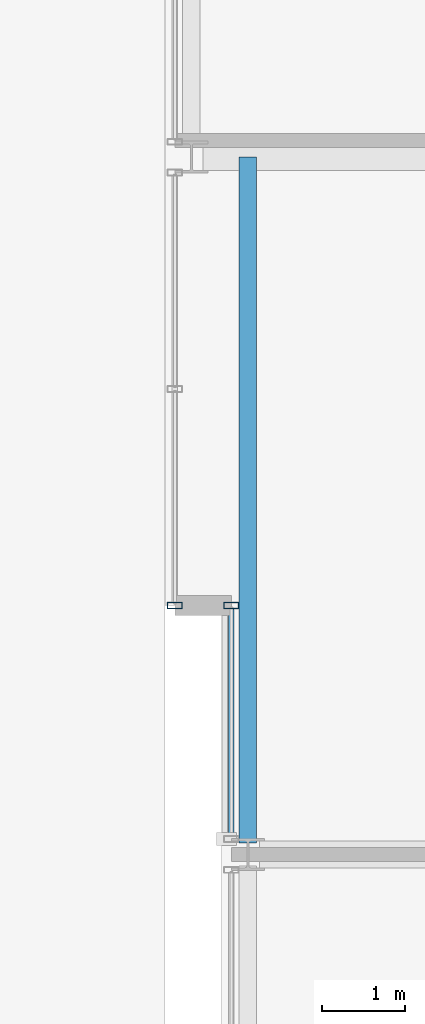
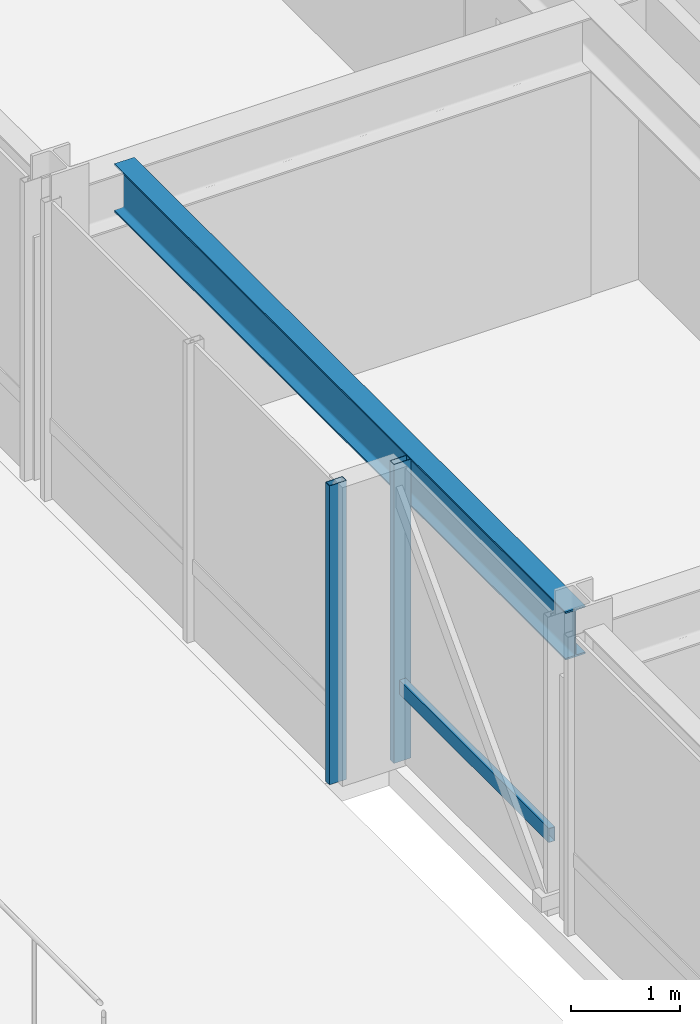
# One storey, part 8 of 32: 3 members, 1 beam, 2 elements without a shape of their own.
"""IFC4 building model written with IfcOpenShell, lengths in metres."""

import ifcopenshell
import ifcopenshell.guid

model = None  # the IFC model being written
_history = None  # IfcOwnerHistory: only IFC2X3 demands one
_inside = {}  # id of a spatial element -> (the spatial element, [elements in it])
_under = {}  # id of a project, library or spatial element -> (it, [spatial elements below it])
_declared = {}  # id of a project -> (the project, [libraries it declares])
_typed = {}  # id of a type object -> (the type object, [elements of that type])
_made_of = {}  # id of a material, layer set ... -> (it, [elements and type objects made of it])


def new_model(schema):
    """Start an empty IFC model of exactly this schema.

    Asked for "IFC4X3", IfcOpenShell would pick the latest addendum, in which some entities
    have other attributes; the version numbers below select the first issue.
    IFC2X3 requires an IfcOwnerHistory on every rooted entity: one is made here for all.
    """
    global model, _history
    if schema == "IFC4X3":
        model = ifcopenshell.file(schema_version=(4, 3, 0, 0))
    else:
        model = ifcopenshell.file(schema=schema)
    _inside.clear()
    _under.clear()
    _declared.clear()
    _typed.clear()
    _made_of.clear()
    _history = None
    if model.schema == "IFC2X3":
        org = make("IfcOrganization", Name="unknown")
        user = make(
            "IfcPersonAndOrganization",
            ThePerson=make("IfcPerson", FamilyName="unknown"),
            TheOrganization=org,
        )
        app = make(
            "IfcApplication",
            ApplicationDeveloper=org,
            Version="unknown",
            ApplicationFullName="unknown",
            ApplicationIdentifier="unknown",
        )
        _history = make(
            "IfcOwnerHistory",
            OwningUser=user,
            OwningApplication=app,
            ChangeAction="ADDED",
            CreationDate=0,
        )
    return model


def make(cls, **values):
    """One entity of the class cls with the attributes given. An attribute that is None is left unset."""
    return model.create_entity(
        cls, **{name: value for name, value in values.items() if value is not None}
    )


def rooted(cls, **values):
    """An entity with a GlobalId (a new one), such as an element, a storey or a relation."""
    return make(cls, GlobalId=ifcopenshell.guid.new(), OwnerHistory=_history, **values)


def si_unit(unit_type, name, prefix=None):
    """IfcSIUnit, for example si_unit("LENGTHUNIT", "METRE", prefix="MILLI")."""
    return make("IfcSIUnit", UnitType=unit_type, Prefix=prefix, Name=name)


def assignment(units):
    """IfcUnitAssignment: the units of a project."""
    return None if units is None else make("IfcUnitAssignment", Units=units)


def point(xyz):
    """IfcCartesianPoint."""
    return None if xyz is None else make("IfcCartesianPoint", Coordinates=xyz)


def direction(xyz):
    """IfcDirection."""
    return None if xyz is None else make("IfcDirection", DirectionRatios=xyz)


def frame(location, z_axis=None, x_axis=None):
    """IfcAxis2Placement3D, a coordinate frame: its origin and axes. An axis left out is left unset."""
    return make(
        "IfcAxis2Placement3D",
        Location=point(location),
        Axis=direction(z_axis),
        RefDirection=direction(x_axis),
    )


def frame_2d(location, x_axis=None):
    """IfcAxis2Placement2D, a coordinate frame in the plane: its origin and x axis."""
    return make(
        "IfcAxis2Placement2D", Location=point(location), RefDirection=direction(x_axis)
    )


def origin():
    """The frame at (0, 0, 0) with its axes left unset."""
    return frame((0.0, 0.0, 0.0))


def origin_2d():
    """The frame at (0, 0) in the plane with its x axis left unset."""
    return frame_2d((0.0, 0.0))


def place(relative_to, where):
    """IfcLocalPlacement: puts the frame where relative to a parent placement (None: the world)."""
    return make(
        "IfcLocalPlacement", PlacementRelTo=relative_to, RelativePlacement=where
    )


def context(
    kind, dimensions, precision=None, world=None, true_north=None, identifier=None
):
    """IfcGeometricRepresentationContext, for example the 3D "Model" context."""
    return make(
        "IfcGeometricRepresentationContext",
        ContextIdentifier=identifier,
        ContextType=kind,
        CoordinateSpaceDimension=dimensions,
        Precision=precision,
        WorldCoordinateSystem=world,
        TrueNorth=true_north,
    )


def subcontext(parent, identifier, kind, view, scale=None):
    """IfcGeometricRepresentationSubContext, for example "Body" below "Model"."""
    return make(
        "IfcGeometricRepresentationSubContext",
        ContextIdentifier=identifier,
        ContextType=kind,
        ParentContext=parent,
        TargetScale=scale,
        TargetView=view,
    )


def project(units=None, contexts=None):
    """IfcProject with its units and contexts."""
    return rooted(
        "IfcProject",
        Name="project",
        RepresentationContexts=contexts,
        UnitsInContext=assignment(units),
    )


def spatial(cls, under=None, at=None, **own):
    """A site, building, storey or space (cls), placed at a placement, below another one or the project."""
    s = rooted(cls, ObjectPlacement=at, **own)
    if under is not None:
        _under.setdefault(under.id(), (under, []))[1].append(s)
    return s


def profile(cls, at=None, kind="AREA", **sizes):
    """A parametric profile (cls). Its sizes go by their IFC names, for example OverallWidth=200.0."""
    return make(cls, ProfileType=kind, Position=at, **sizes)


def hollow_rectangle(**sizes):
    """IfcRectangleHollowProfileDef."""
    return profile("IfcRectangleHollowProfileDef", **sizes)


def i_section(**sizes):
    """IfcIShapeProfileDef."""
    return profile("IfcIShapeProfileDef", **sizes)


def extrude(swept, where, along, depth):
    """IfcExtrudedAreaSolid: the profile swept, set in the frame where, extruded along a direction by depth."""
    return make(
        "IfcExtrudedAreaSolid",
        SweptArea=swept,
        Position=where,
        ExtrudedDirection=direction(along),
        Depth=depth,
    )


def shape(context_of_items, identifier, shape_type, items):
    """IfcShapeRepresentation: the items that make up one representation, for example the "Body"."""
    return make(
        "IfcShapeRepresentation",
        ContextOfItems=context_of_items,
        RepresentationIdentifier=identifier,
        RepresentationType=shape_type,
        Items=items,
    )


def material(Name=None, Category=None):
    """IfcMaterial."""
    return make("IfcMaterial", Name=Name, Category=Category)


def layer(
    of_material, thickness, ventilated=None, Name=None, Category=None, Priority=None
):
    """IfcMaterialLayer: one layer of a wall or slab, of a material (None: an air gap)."""
    return make(
        "IfcMaterialLayer",
        Material=of_material,
        LayerThickness=thickness,
        IsVentilated=ventilated,
        Name=Name,
        Category=Category,
        Priority=Priority,
    )


def layer_set(layers, Name=None):
    """IfcMaterialLayerSet."""
    return make("IfcMaterialLayerSet", MaterialLayers=layers, LayerSetName=Name)


def material_profile(
    of_material, cross_section, Name=None, Category=None, Priority=None
):
    """IfcMaterialProfile: a cross section and its material."""
    return make(
        "IfcMaterialProfile",
        Name=Name,
        Material=of_material,
        Profile=cross_section,
        Priority=Priority,
        Category=Category,
    )


def profile_set(profiles, Name=None, composite=None):
    """IfcMaterialProfileSet."""
    return make(
        "IfcMaterialProfileSet",
        Name=Name,
        MaterialProfiles=profiles,
        CompositeProfile=composite,
    )


def made_of(thing, what):
    """Note that an element or type object is made of a material, layer set ...; save() writes the relation."""
    if what is not None:
        _made_of.setdefault(what.id(), (what, []))[1].append(thing)
    return thing


def type_object(cls, material=None, **own):
    """A type object (cls), such as IfcWallType, which elements share."""
    return made_of(rooted(cls, **own), material)


def element(
    cls,
    number,
    at=None,
    inside=None,
    cuts=None,
    type_object=None,
    material=None,
    context=None,
    identifier="Body",
    shape_type=None,
    held_by="IfcProductDefinitionShape",
    body=None,
    shapes=None,
    **own,
):
    """One element of the class cls, such as IfcWall. Its Tag is "e" and its number.

    at: its placement. inside: the storey or other place that contains it. cuts: it is an
    opening in that element (IfcRelVoidsElement). A single representation is given by context,
    identifier, shape_type and body (its items); several are given by shapes. held_by: the class
    of the entity that holds the representations. save() writes the other relations.
    """
    e = rooted(cls, Tag="e%d" % number, ObjectPlacement=at, **own)
    if body is not None:
        shapes = [shape(context, identifier, shape_type, body)]
    if shapes is not None:
        e.Representation = make(held_by, Representations=shapes)
    if inside is not None:
        _inside.setdefault(inside.id(), (inside, []))[1].append(e)
    if cuts is not None:
        rooted(
            "IfcRelVoidsElement", RelatingBuildingElement=cuts, RelatedOpeningElement=e
        )
    if type_object is not None:
        _typed.setdefault(type_object.id(), (type_object, []))[1].append(e)
    return made_of(e, material)


def aggregate(whole, parts):
    """IfcRelAggregates: a whole, such as a stair, and the parts it consists of."""
    return rooted("IfcRelAggregates", RelatingObject=whole, RelatedObjects=parts)


def save(model, path):
    """Write the relations noted so far, then the file.

    IfcRelAggregates (storeys below a building ...), IfcRelContainedInSpatialStructure (elements
    in a storey), IfcRelDefinesByType, IfcRelAssociatesMaterial and IfcRelDeclares: one each for
    every whole, place, type object, material and project.
    """
    for whole, parts in _under.values():
        aggregate(whole, parts)
    for where, things in _inside.values():
        rooted(
            "IfcRelContainedInSpatialStructure",
            RelatedElements=things,
            RelatingStructure=where,
        )
    for kind, things in _typed.values():
        rooted("IfcRelDefinesByType", RelatedObjects=things, RelatingType=kind)
    for what, things in _made_of.values():
        rooted("IfcRelAssociatesMaterial", RelatedObjects=things, RelatingMaterial=what)
    for by, libraries in _declared.values():
        rooted("IfcRelDeclares", RelatingContext=by, RelatedDefinitions=libraries)
    model.write(path)


model = new_model("IFC4")

# Units and contexts
model_context = context("Model", 3, precision=1e-05, world=origin(), true_north=direction((0.0, 1.0)))
body_context = subcontext(model_context, "Body", "Model", "MODEL_VIEW")
ifc_project = project(units=[si_unit("LENGTHUNIT", "METRE"), si_unit("AREAUNIT", "SQUARE_METRE"), si_unit("VOLUMEUNIT", "CUBIC_METRE"), si_unit("PLANEANGLEUNIT", "RADIAN"), si_unit("MASSUNIT", "GRAM", prefix="KILO")], contexts=[model_context])

# Site, building, storey
site_placement = place(None, origin())
site = spatial("IfcSite", under=ifc_project, at=site_placement, CompositionType="ELEMENT")
building_placement = place(site_placement, origin())
building = spatial("IfcBuilding", under=site, at=building_placement, Name="Drelvath Grand Hotel", CompositionType="ELEMENT")
storey_placement = place(building_placement, frame((0.0, 0.0, 205.10009765625)))
storey = spatial("IfcBuildingStorey", under=building, at=storey_placement, Name="L53", CompositionType="ELEMENT", Elevation=205.10009765625)

# Curtain wall, members
ifc_material_1 = material(Name="Platinum-Mist Anodised Aluminium Frame", Category="aluminium")
ifc_layer = layer(ifc_material_1, 0.199951171875)
ifc_layer_set = layer_set([ifc_layer], Name="Platinum-Mist Anodised Aluminium Frame")
curtain_wall_type = type_object("IfcCurtainWallType", Name="Stick Curtain Wall CW-05 Platinum Mist High-Rise", PredefinedType="NOTDEFINED", material=ifc_layer_set)
curtain_wall_1_placement = place(storey_placement, origin())
curtain_wall_1 = element("IfcCurtainWall", 1, at=curtain_wall_1_placement, inside=storey, type_object=curtain_wall_type, Name="L53 CW-05 Curtain Wall CW05-L53-WM2", PredefinedType="NOTDEFINED")
ifc_material_profile_1 = material_profile(ifc_material_1, hollow_rectangle(XDim=0.06494140625, YDim=0.159912109375, WallThickness=0.00390625, at=origin_2d()), Name="HSS160X65X4")
ifc_profile_set_1 = profile_set([ifc_material_profile_1], Name="Platinum-Mist Anodised Aluminium Frame")
member_type_1 = type_object("IfcMemberType", Name="Curtain Wall Horizontal Transom CW-05 HSS160X65X4", PredefinedType="USERDEFINED", material=ifc_profile_set_1)
member_1_placement = place(storey_placement, frame((-21.39990234375, 27.225341796875, 0.8349609375), z_axis=(0.0, 1.0, 0.0), x_axis=(-1.0, 0.0, 0.0)))
member_1 = element("IfcMember", 2, at=member_1_placement, type_object=member_type_1, Name="CW05-L53-WM2 Sill Transom", ObjectType="TRANSOM", PredefinedType="USERDEFINED", context=body_context, shape_type="SweptSolid", body=[
    extrude(hollow_rectangle(XDim=0.06494140625, YDim=0.159912109375, WallThickness=0.00390625, at=origin_2d()), origin(), (0.0, 0.0, 1.0), 2.734619140625),
])
ifc_material_profile_2 = material_profile(ifc_material_1, hollow_rectangle(XDim=0.074951171875, YDim=0.179931640625, WallThickness=0.0048828125, at=origin_2d()), Name="HSS180X75X5")
ifc_profile_set_2 = profile_set([ifc_material_profile_2], Name="Platinum-Mist Anodised Aluminium Frame")
member_type_2 = type_object("IfcMemberType", Name="Curtain Wall Vertical Mullion CW-05 HSS180X75X5", PredefinedType="MULLION", material=ifc_profile_set_2)
member_2_placement = place(storey_placement, frame((-21.39990234375, 30.0, 0.0), z_axis=(0.0, 0.0, 1.0), x_axis=(0.0, 1.0, 0.0)))
member_2 = element("IfcMember", 3, at=member_2_placement, type_object=member_type_2, Name="CW05-L53-WM2 Mullion 2", PredefinedType="MULLION", context=body_context, shape_type="SweptSolid", body=[
    extrude(hollow_rectangle(XDim=0.074951171875, YDim=0.179931640625, WallThickness=0.0048828125, at=origin_2d()), origin(), (0.0, 0.0, 1.0), 3.33984375),
])
aggregate(curtain_wall_1, [member_2, member_1])

# Curtain wall, member
curtain_wall_2_placement = place(storey_placement, origin())
curtain_wall_2 = element("IfcCurtainWall", 4, at=curtain_wall_2_placement, inside=storey, type_object=curtain_wall_type, Name="L53 CW-05 Curtain Wall CW05-L53-WN1", PredefinedType="NOTDEFINED")
member_3_placement = place(storey_placement, frame((-22.080078125, 30.0, 0.0), z_axis=(0.0, 0.0, 1.0), x_axis=(0.0, 1.0, 0.0)))
member_3 = element("IfcMember", 5, at=member_3_placement, type_object=member_type_2, Name="CW05-L53-WN1 Mullion 1", PredefinedType="MULLION", context=body_context, shape_type="SweptSolid", body=[
    extrude(hollow_rectangle(XDim=0.074951171875, YDim=0.179931640625, WallThickness=0.0048828125, at=origin_2d()), origin(), (0.0, 0.0, 1.0), 3.33984375),
])
aggregate(curtain_wall_2, [member_3])

# Beam
ifc_material_2 = material(Name="Steel ASTM A992 Gr 50", Category="steel")
ifc_material_profile_3 = material_profile(ifc_material_2, i_section(OverallWidth=0.210205078125, OverallDepth=0.53662109375, WebThickness=0.010986328125, FlangeThickness=0.017333984375, FilletRadius=0.01806640625, at=origin_2d()), Name="W21X68")
ifc_profile_set_3 = profile_set([ifc_material_profile_3], Name="Steel ASTM A992 Gr 50")
beam_type = type_object("IfcBeamType", Name="Perimeter Spandrel Beam W21X68", PredefinedType="SPANDREL", material=ifc_profile_set_3)
beam_placement = place(storey_placement, frame((-21.199951171875, 27.139892578125, 3.071533203125), z_axis=(0.0, 1.0, 0.0), x_axis=(-1.0, 0.0, 0.0)))
element("IfcBeam", 6, at=beam_placement, inside=storey, type_object=beam_type, Name="L53 Spandrel West Mid N", PredefinedType="SPANDREL", context=body_context, shape_type="SweptSolid", body=[
    extrude(i_section(OverallWidth=0.210205078125, OverallDepth=0.53662109375, WebThickness=0.010986328125, FlangeThickness=0.017333984375, FilletRadius=0.01806640625, at=origin_2d()), origin(), (0.0, 0.0, 1.0), 8.260009765625),
])

save(model, "model.ifc")
